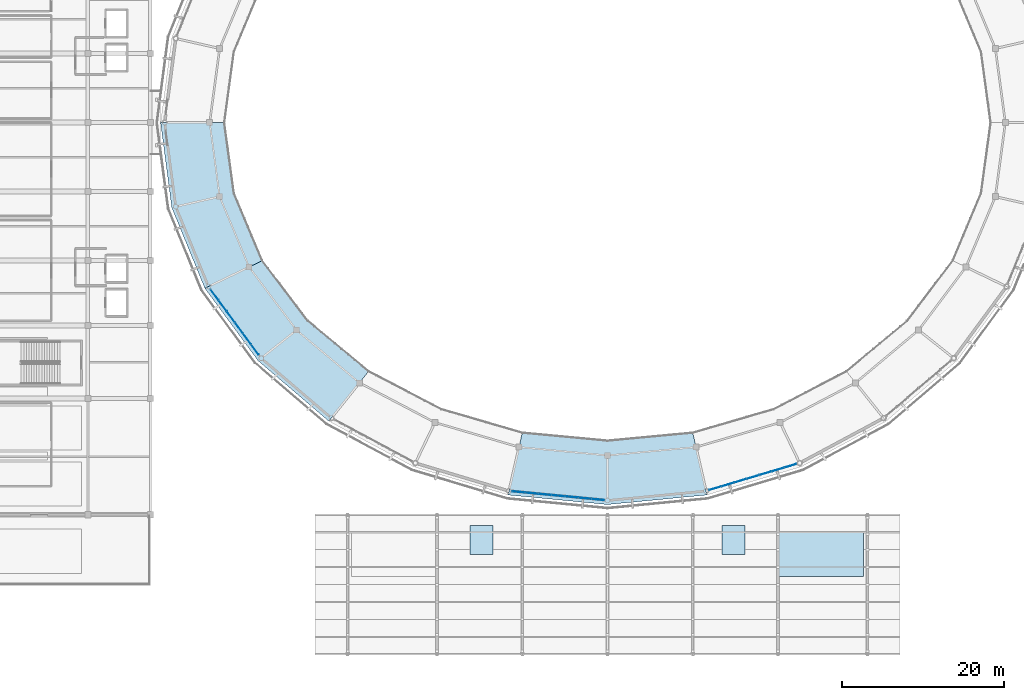
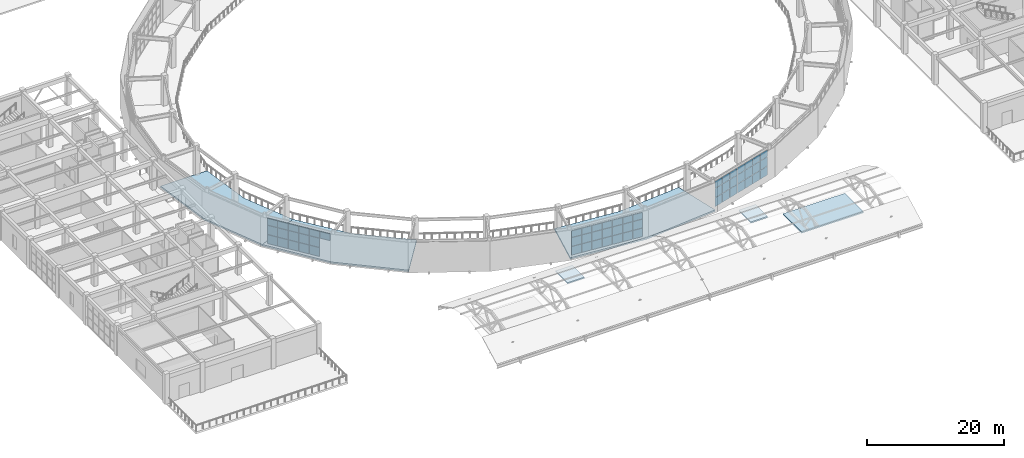
# One storey, part 41 of 70: 58 plates, 6 slabs, 3 elements without a shape of their own.
"""IFC4 building model written with IfcOpenShell, lengths in metres."""

import ifcopenshell
import ifcopenshell.guid

model = None  # the IFC model being written
_history = None  # IfcOwnerHistory: only IFC2X3 demands one
_inside = {}  # id of a spatial element -> (the spatial element, [elements in it])
_under = {}  # id of a project, library or spatial element -> (it, [spatial elements below it])
_declared = {}  # id of a project -> (the project, [libraries it declares])
_typed = {}  # id of a type object -> (the type object, [elements of that type])
_made_of = {}  # id of a material, layer set ... -> (it, [elements and type objects made of it])


def new_model(schema):
    """Start an empty IFC model of exactly this schema.

    Asked for "IFC4X3", IfcOpenShell would pick the latest addendum, in which some entities
    have other attributes; the version numbers below select the first issue.
    IFC2X3 requires an IfcOwnerHistory on every rooted entity: one is made here for all.
    """
    global model, _history
    if schema == "IFC4X3":
        model = ifcopenshell.file(schema_version=(4, 3, 0, 0))
    else:
        model = ifcopenshell.file(schema=schema)
    _inside.clear()
    _under.clear()
    _declared.clear()
    _typed.clear()
    _made_of.clear()
    _history = None
    if model.schema == "IFC2X3":
        org = make("IfcOrganization", Name="unknown")
        user = make(
            "IfcPersonAndOrganization",
            ThePerson=make("IfcPerson", FamilyName="unknown"),
            TheOrganization=org,
        )
        app = make(
            "IfcApplication",
            ApplicationDeveloper=org,
            Version="unknown",
            ApplicationFullName="unknown",
            ApplicationIdentifier="unknown",
        )
        _history = make(
            "IfcOwnerHistory",
            OwningUser=user,
            OwningApplication=app,
            ChangeAction="ADDED",
            CreationDate=0,
        )
    return model


def make(cls, **values):
    """One entity of the class cls with the attributes given. An attribute that is None is left unset."""
    return model.create_entity(
        cls, **{name: value for name, value in values.items() if value is not None}
    )


def rooted(cls, **values):
    """An entity with a GlobalId (a new one), such as an element, a storey or a relation."""
    return make(cls, GlobalId=ifcopenshell.guid.new(), OwnerHistory=_history, **values)


def si_unit(unit_type, name, prefix=None):
    """IfcSIUnit, for example si_unit("LENGTHUNIT", "METRE", prefix="MILLI")."""
    return make("IfcSIUnit", UnitType=unit_type, Prefix=prefix, Name=name)


def assignment(units):
    """IfcUnitAssignment: the units of a project."""
    return None if units is None else make("IfcUnitAssignment", Units=units)


def point(xyz):
    """IfcCartesianPoint."""
    return None if xyz is None else make("IfcCartesianPoint", Coordinates=xyz)


def direction(xyz):
    """IfcDirection."""
    return None if xyz is None else make("IfcDirection", DirectionRatios=xyz)


def frame(location, z_axis=None, x_axis=None):
    """IfcAxis2Placement3D, a coordinate frame: its origin and axes. An axis left out is left unset."""
    return make(
        "IfcAxis2Placement3D",
        Location=point(location),
        Axis=direction(z_axis),
        RefDirection=direction(x_axis),
    )


def frame_2d(location, x_axis=None):
    """IfcAxis2Placement2D, a coordinate frame in the plane: its origin and x axis."""
    return make(
        "IfcAxis2Placement2D", Location=point(location), RefDirection=direction(x_axis)
    )


def origin():
    """The frame at (0, 0, 0) with its axes left unset."""
    return frame((0.0, 0.0, 0.0))


def origin_2d():
    """The frame at (0, 0) in the plane with its x axis left unset."""
    return frame_2d((0.0, 0.0))


def place(relative_to, where):
    """IfcLocalPlacement: puts the frame where relative to a parent placement (None: the world)."""
    return make(
        "IfcLocalPlacement", PlacementRelTo=relative_to, RelativePlacement=where
    )


def context(
    kind, dimensions, precision=None, world=None, true_north=None, identifier=None
):
    """IfcGeometricRepresentationContext, for example the 3D "Model" context."""
    return make(
        "IfcGeometricRepresentationContext",
        ContextIdentifier=identifier,
        ContextType=kind,
        CoordinateSpaceDimension=dimensions,
        Precision=precision,
        WorldCoordinateSystem=world,
        TrueNorth=true_north,
    )


def subcontext(parent, identifier, kind, view, scale=None):
    """IfcGeometricRepresentationSubContext, for example "Body" below "Model"."""
    return make(
        "IfcGeometricRepresentationSubContext",
        ContextIdentifier=identifier,
        ContextType=kind,
        ParentContext=parent,
        TargetScale=scale,
        TargetView=view,
    )


def project(units=None, contexts=None):
    """IfcProject with its units and contexts."""
    return rooted(
        "IfcProject",
        Name="project",
        RepresentationContexts=contexts,
        UnitsInContext=assignment(units),
    )


def spatial(cls, under=None, at=None, **own):
    """A site, building, storey or space (cls), placed at a placement, below another one or the project."""
    s = rooted(cls, ObjectPlacement=at, **own)
    if under is not None:
        _under.setdefault(under.id(), (under, []))[1].append(s)
    return s


def polyline(points):
    """IfcPolyline through the points."""
    return make("IfcPolyline", Points=[point(p) for p in points])


def profile(cls, at=None, kind="AREA", **sizes):
    """A parametric profile (cls). Its sizes go by their IFC names, for example OverallWidth=200.0."""
    return make(cls, ProfileType=kind, Position=at, **sizes)


def rectangle(**sizes):
    """IfcRectangleProfileDef."""
    return profile("IfcRectangleProfileDef", **sizes)


def outline(outer, holes=None, kind="AREA"):
    """IfcArbitraryClosedProfileDef: a profile drawn as a closed curve; with holes, ...WithVoids."""
    if holes is None:
        return make("IfcArbitraryClosedProfileDef", ProfileType=kind, OuterCurve=outer)
    return make(
        "IfcArbitraryProfileDefWithVoids",
        ProfileType=kind,
        OuterCurve=outer,
        InnerCurves=holes,
    )


def extrude(swept, where, along, depth):
    """IfcExtrudedAreaSolid: the profile swept, set in the frame where, extruded along a direction by depth."""
    return make(
        "IfcExtrudedAreaSolid",
        SweptArea=swept,
        Position=where,
        ExtrudedDirection=direction(along),
        Depth=depth,
    )


def shape(context_of_items, identifier, shape_type, items):
    """IfcShapeRepresentation: the items that make up one representation, for example the "Body"."""
    return make(
        "IfcShapeRepresentation",
        ContextOfItems=context_of_items,
        RepresentationIdentifier=identifier,
        RepresentationType=shape_type,
        Items=items,
    )


def material(Name=None, Category=None):
    """IfcMaterial."""
    return make("IfcMaterial", Name=Name, Category=Category)


def layer(
    of_material, thickness, ventilated=None, Name=None, Category=None, Priority=None
):
    """IfcMaterialLayer: one layer of a wall or slab, of a material (None: an air gap)."""
    return make(
        "IfcMaterialLayer",
        Material=of_material,
        LayerThickness=thickness,
        IsVentilated=ventilated,
        Name=Name,
        Category=Category,
        Priority=Priority,
    )


def layer_set(layers, Name=None):
    """IfcMaterialLayerSet."""
    return make("IfcMaterialLayerSet", MaterialLayers=layers, LayerSetName=Name)


def made_of(thing, what):
    """Note that an element or type object is made of a material, layer set ...; save() writes the relation."""
    if what is not None:
        _made_of.setdefault(what.id(), (what, []))[1].append(thing)
    return thing


def type_object(cls, material=None, **own):
    """A type object (cls), such as IfcWallType, which elements share."""
    return made_of(rooted(cls, **own), material)


def element(
    cls,
    number,
    at=None,
    inside=None,
    cuts=None,
    type_object=None,
    material=None,
    context=None,
    identifier="Body",
    shape_type=None,
    held_by="IfcProductDefinitionShape",
    body=None,
    shapes=None,
    **own,
):
    """One element of the class cls, such as IfcWall. Its Tag is "e" and its number.

    at: its placement. inside: the storey or other place that contains it. cuts: it is an
    opening in that element (IfcRelVoidsElement). A single representation is given by context,
    identifier, shape_type and body (its items); several are given by shapes. held_by: the class
    of the entity that holds the representations. save() writes the other relations.
    """
    e = rooted(cls, Tag="e%d" % number, ObjectPlacement=at, **own)
    if body is not None:
        shapes = [shape(context, identifier, shape_type, body)]
    if shapes is not None:
        e.Representation = make(held_by, Representations=shapes)
    if inside is not None:
        _inside.setdefault(inside.id(), (inside, []))[1].append(e)
    if cuts is not None:
        rooted(
            "IfcRelVoidsElement", RelatingBuildingElement=cuts, RelatedOpeningElement=e
        )
    if type_object is not None:
        _typed.setdefault(type_object.id(), (type_object, []))[1].append(e)
    return made_of(e, material)


def aggregate(whole, parts):
    """IfcRelAggregates: a whole, such as a stair, and the parts it consists of."""
    return rooted("IfcRelAggregates", RelatingObject=whole, RelatedObjects=parts)


def save(model, path):
    """Write the relations noted so far, then the file.

    IfcRelAggregates (storeys below a building ...), IfcRelContainedInSpatialStructure (elements
    in a storey), IfcRelDefinesByType, IfcRelAssociatesMaterial and IfcRelDeclares: one each for
    every whole, place, type object, material and project.
    """
    for whole, parts in _under.values():
        aggregate(whole, parts)
    for where, things in _inside.values():
        rooted(
            "IfcRelContainedInSpatialStructure",
            RelatedElements=things,
            RelatingStructure=where,
        )
    for kind, things in _typed.values():
        rooted("IfcRelDefinesByType", RelatedObjects=things, RelatingType=kind)
    for what, things in _made_of.values():
        rooted("IfcRelAssociatesMaterial", RelatedObjects=things, RelatingMaterial=what)
    for by, libraries in _declared.values():
        rooted("IfcRelDeclares", RelatingContext=by, RelatedDefinitions=libraries)
    model.write(path)


model = new_model("IFC4")

# Units and contexts
model_context = context("Model", 3, precision=1e-05, world=origin(), true_north=direction((0.0, 1.0)))
body_context = subcontext(model_context, "Body", "Model", "MODEL_VIEW")
ifc_project = project(units=[si_unit("LENGTHUNIT", "METRE"), si_unit("AREAUNIT", "SQUARE_METRE"), si_unit("VOLUMEUNIT", "CUBIC_METRE"), si_unit("PLANEANGLEUNIT", "RADIAN"), si_unit("MASSUNIT", "GRAM", prefix="KILO")], contexts=[model_context])

# Site, building, storey
site_placement = place(None, origin())
site = spatial("IfcSite", under=ifc_project, at=site_placement, CompositionType="ELEMENT")
building_placement = place(site_placement, origin())
building = spatial("IfcBuilding", under=site, at=building_placement, Name="Cuetzalor Civic Arena", CompositionType="ELEMENT")
storey_placement = place(building_placement, frame((0.0, 0.0, 21.0)))
storey = spatial("IfcBuildingStorey", under=building, at=storey_placement, Name="L04", CompositionType="ELEMENT", Elevation=21.0)

# Curtain wall, plates
ifc_material_1 = material(Name="Anodised dark bronze aluminium and low-E solar glass", Category="aluminium")
curtain_wall_type_1 = type_object("IfcCurtainWallType", Name="UnitisedCW_10150x4650", PredefinedType="USERDEFINED", material=ifc_material_1)
curtain_wall_1_placement = place(storey_placement, origin())
curtain_wall_1 = element("IfcCurtainWall", 1, at=curtain_wall_1_placement, inside=storey, type_object=curtain_wall_type_1, Name="Drum Triangle Foyer Curtain Wall L04-063", ObjectType="UNITISED CURTAIN WALL", PredefinedType="USERDEFINED")
ifc_material_2 = material(Name="Acoustic laminated solar control glass", Category="glass")
ifc_layer_1 = layer(ifc_material_2, 0.0439453125)
ifc_layer_set_1 = layer_set([ifc_layer_1], Name="Acoustic laminated solar control glass")
plate_type = type_object("IfcPlateType", Name="AcousticTripleGlazedPanel_44", PredefinedType="CURTAIN_PANEL", material=ifc_layer_set_1)
plate_1_placement = place(storey_placement, frame((-43.402587890625, -27.999755859375, 3.384765625), z_axis=(0.0, 0.0, 1.0), x_axis=(-0.59292931222, 0.805254513002, 0.0)))
plate_1 = element("IfcPlate", 2, at=plate_1_placement, type_object=plate_type, Name="CW-06 panel 1.3", PredefinedType="CURTAIN_PANEL", context=body_context, shape_type="SweptSolid", body=[
    extrude(rectangle(XDim=1.585693359375, YDim=0.0439453125, at=origin_2d()), origin(), (0.0, 0.0, 1.0), 1.197998046875),
])
plate_2_placement = place(storey_placement, frame((-44.394775390625, -26.652587890625, 0.06982421875), z_axis=(0.0, 0.0, 1.0), x_axis=(-0.59292931222, 0.805254513002, 0.0)))
plate_2 = element("IfcPlate", 3, at=plate_2_placement, type_object=plate_type, Name="CW-06 panel 2.1", PredefinedType="CURTAIN_PANEL", context=body_context, shape_type="SweptSolid", body=[
    extrude(rectangle(XDim=1.62060546875, YDim=0.0439453125, at=origin_2d()), origin(), (0.0, 0.0, 1.0), 1.570068359375),
])
plate_3_placement = place(storey_placement, frame((-44.394775390625, -26.652587890625, 1.7099609375), z_axis=(0.0, 0.0, 1.0), x_axis=(-0.59292931222, 0.805254513002, 0.0)))
plate_3 = element("IfcPlate", 4, at=plate_3_placement, type_object=plate_type, Name="CW-06 panel 2.2", PredefinedType="CURTAIN_PANEL", context=body_context, shape_type="SweptSolid", body=[
    extrude(rectangle(XDim=1.62060546875, YDim=0.0439453125, at=origin_2d()), origin(), (0.0, 0.0, 1.0), 1.60498046875),
])
plate_4_placement = place(storey_placement, frame((-44.394775390625, -26.652587890625, 3.384765625), z_axis=(0.0, 0.0, 1.0), x_axis=(-0.59292931222, 0.805254513002, 0.0)))
plate_4 = element("IfcPlate", 5, at=plate_4_placement, type_object=plate_type, Name="CW-06 panel 2.3", PredefinedType="CURTAIN_PANEL", context=body_context, shape_type="SweptSolid", body=[
    extrude(rectangle(XDim=1.62060546875, YDim=0.0439453125, at=origin_2d()), origin(), (0.0, 0.0, 1.0), 1.197998046875),
])
plate_5_placement = place(storey_placement, frame((-45.397216796875, -25.291015625, 0.06982421875), z_axis=(0.0, 0.0, 1.0), x_axis=(-0.59292931222, 0.805254513002, 0.0)))
plate_5 = element("IfcPlate", 6, at=plate_5_placement, type_object=plate_type, Name="CW-06 panel 3.1", PredefinedType="CURTAIN_PANEL", context=body_context, shape_type="SweptSolid", body=[
    extrude(rectangle(XDim=1.62060546875, YDim=0.0439453125, at=origin_2d()), origin(), (0.0, 0.0, 1.0), 1.570068359375),
])
plate_6_placement = place(storey_placement, frame((-45.397216796875, -25.291015625, 1.7099609375), z_axis=(0.0, 0.0, 1.0), x_axis=(-0.59292931222, 0.805254513002, 0.0)))
plate_6 = element("IfcPlate", 7, at=plate_6_placement, type_object=plate_type, Name="CW-06 panel 3.2", PredefinedType="CURTAIN_PANEL", context=body_context, shape_type="SweptSolid", body=[
    extrude(rectangle(XDim=1.62060546875, YDim=0.0439453125, at=origin_2d()), origin(), (0.0, 0.0, 1.0), 1.60498046875),
])
plate_7_placement = place(storey_placement, frame((-45.397216796875, -25.291015625, 3.384765625), z_axis=(0.0, 0.0, 1.0), x_axis=(-0.59292931222, 0.805254513002, 0.0)))
plate_7 = element("IfcPlate", 8, at=plate_7_placement, type_object=plate_type, Name="CW-06 panel 3.3", PredefinedType="CURTAIN_PANEL", context=body_context, shape_type="SweptSolid", body=[
    extrude(rectangle(XDim=1.62060546875, YDim=0.0439453125, at=origin_2d()), origin(), (0.0, 0.0, 1.0), 1.197998046875),
])
plate_8_placement = place(storey_placement, frame((-46.399658203125, -23.9296875, 0.06982421875), z_axis=(0.0, 0.0, 1.0), x_axis=(-0.59292931222, 0.805254513002, 0.0)))
plate_8 = element("IfcPlate", 9, at=plate_8_placement, type_object=plate_type, Name="CW-06 panel 4.1", PredefinedType="CURTAIN_PANEL", context=body_context, shape_type="SweptSolid", body=[
    extrude(rectangle(XDim=1.62060546875, YDim=0.0439453125, at=origin_2d()), origin(), (0.0, 0.0, 1.0), 1.570068359375),
])
plate_9_placement = place(storey_placement, frame((-46.399658203125, -23.9296875, 1.7099609375), z_axis=(0.0, 0.0, 1.0), x_axis=(-0.59292931222, 0.805254513002, 0.0)))
plate_9 = element("IfcPlate", 10, at=plate_9_placement, type_object=plate_type, Name="CW-06 panel 4.2", PredefinedType="CURTAIN_PANEL", context=body_context, shape_type="SweptSolid", body=[
    extrude(rectangle(XDim=1.62060546875, YDim=0.0439453125, at=origin_2d()), origin(), (0.0, 0.0, 1.0), 1.60498046875),
])
plate_10_placement = place(storey_placement, frame((-46.399658203125, -23.9296875, 3.384765625), z_axis=(0.0, 0.0, 1.0), x_axis=(-0.59292931222, 0.805254513002, 0.0)))
plate_10 = element("IfcPlate", 11, at=plate_10_placement, type_object=plate_type, Name="CW-06 panel 4.3", PredefinedType="CURTAIN_PANEL", context=body_context, shape_type="SweptSolid", body=[
    extrude(rectangle(XDim=1.62060546875, YDim=0.0439453125, at=origin_2d()), origin(), (0.0, 0.0, 1.0), 1.197998046875),
])
plate_11_placement = place(storey_placement, frame((-47.402099609375, -22.568359375, 0.06982421875), z_axis=(0.0, 0.0, 1.0), x_axis=(-0.59292931222, 0.805254513002, 0.0)))
plate_11 = element("IfcPlate", 12, at=plate_11_placement, type_object=plate_type, Name="CW-06 panel 5.1", PredefinedType="CURTAIN_PANEL", context=body_context, shape_type="SweptSolid", body=[
    extrude(rectangle(XDim=1.62060546875, YDim=0.0439453125, at=origin_2d()), origin(), (0.0, 0.0, 1.0), 1.570068359375),
])
plate_12_placement = place(storey_placement, frame((-47.402099609375, -22.568359375, 1.7099609375), z_axis=(0.0, 0.0, 1.0), x_axis=(-0.59292931222, 0.805254513002, 0.0)))
plate_12 = element("IfcPlate", 13, at=plate_12_placement, type_object=plate_type, Name="CW-06 panel 5.2", PredefinedType="CURTAIN_PANEL", context=body_context, shape_type="SweptSolid", body=[
    extrude(rectangle(XDim=1.62060546875, YDim=0.0439453125, at=origin_2d()), origin(), (0.0, 0.0, 1.0), 1.60498046875),
])
plate_13_placement = place(storey_placement, frame((-47.402099609375, -22.568359375, 3.384765625), z_axis=(0.0, 0.0, 1.0), x_axis=(-0.59292931222, 0.805254513002, 0.0)))
plate_13 = element("IfcPlate", 14, at=plate_13_placement, type_object=plate_type, Name="CW-06 panel 5.3", PredefinedType="CURTAIN_PANEL", context=body_context, shape_type="SweptSolid", body=[
    extrude(rectangle(XDim=1.62060546875, YDim=0.0439453125, at=origin_2d()), origin(), (0.0, 0.0, 1.0), 1.197998046875),
])
plate_14_placement = place(storey_placement, frame((-48.39404296875, -21.220947265625, 0.06982421875), z_axis=(0.0, 0.0, 1.0), x_axis=(-0.59292931222, 0.805254513002, 0.0)))
plate_14 = element("IfcPlate", 15, at=plate_14_placement, type_object=plate_type, Name="CW-06 panel 6.1", PredefinedType="CURTAIN_PANEL", context=body_context, shape_type="SweptSolid", body=[
    extrude(rectangle(XDim=1.585693359375, YDim=0.0439453125, at=origin_2d()), origin(), (0.0, 0.0, 1.0), 1.570068359375),
])
plate_15_placement = place(storey_placement, frame((-48.39404296875, -21.220947265625, 1.7099609375), z_axis=(0.0, 0.0, 1.0), x_axis=(-0.59292931222, 0.805254513002, 0.0)))
plate_15 = element("IfcPlate", 16, at=plate_15_placement, type_object=plate_type, Name="CW-06 panel 6.2", PredefinedType="CURTAIN_PANEL", context=body_context, shape_type="SweptSolid", body=[
    extrude(rectangle(XDim=1.585693359375, YDim=0.0439453125, at=origin_2d()), origin(), (0.0, 0.0, 1.0), 1.60498046875),
])
plate_16_placement = place(storey_placement, frame((-48.39404296875, -21.220947265625, 3.384765625), z_axis=(0.0, 0.0, 1.0), x_axis=(-0.59292931222, 0.805254513002, 0.0)))
plate_16 = element("IfcPlate", 17, at=plate_16_placement, type_object=plate_type, Name="CW-06 panel 6.3", PredefinedType="CURTAIN_PANEL", context=body_context, shape_type="SweptSolid", body=[
    extrude(rectangle(XDim=1.585693359375, YDim=0.0439453125, at=origin_2d()), origin(), (0.0, 0.0, 1.0), 1.197998046875),
])
aggregate(curtain_wall_1, [plate_1, plate_2, plate_3, plate_4, plate_5, plate_6, plate_7, plate_8, plate_9, plate_10, plate_11, plate_12, plate_13, plate_14, plate_15, plate_16])

ifc_material_3 = material(Name="Anodised dark bronze aluminium and low-E solar glass", Category="aluminium")
curtain_wall_type_2 = type_object("IfcCurtainWallType", Name="UnitisedCW_11550x4450", PredefinedType="USERDEFINED", material=ifc_material_3)
curtain_wall_2_placement = place(storey_placement, origin())
curtain_wall_2 = element("IfcCurtainWall", 18, at=curtain_wall_2_placement, inside=storey, type_object=curtain_wall_type_2, Name="Drum Triangle Foyer Curtain Wall L04-065", ObjectType="UNITISED CURTAIN WALL", PredefinedType="USERDEFINED")
plate_17_placement = place(storey_placement, frame((-1.15185546875, -46.439208984375, 0.06494140625), z_axis=(0.0, 0.0, 1.0), x_axis=(-0.995409139996, 0.095711253324, 0.0)))
plate_17 = element("IfcPlate", 19, at=plate_17_placement, type_object=plate_type, Name="CW-08 panel 1.1", PredefinedType="CURTAIN_PANEL", context=body_context, shape_type="SweptSolid", body=[
    extrude(rectangle(XDim=1.5546875, YDim=0.0439453125, at=origin_2d()), origin(), (0.0, 0.0, 1.0), 1.49853515625),
])
plate_18_placement = place(storey_placement, frame((-1.15185546875, -46.439208984375, 1.62841796875), z_axis=(0.0, 0.0, 1.0), x_axis=(-0.995409139996, 0.095711253324, 0.0)))
plate_18 = element("IfcPlate", 20, at=plate_18_placement, type_object=plate_type, Name="CW-08 panel 1.2", PredefinedType="CURTAIN_PANEL", context=body_context, shape_type="SweptSolid", body=[
    extrude(rectangle(XDim=1.5546875, YDim=0.0439453125, at=origin_2d()), origin(), (0.0, 0.0, 1.0), 1.530029296875),
])
plate_19_placement = place(storey_placement, frame((-1.15185546875, -46.439208984375, 3.223388671875), z_axis=(0.0, 0.0, 1.0), x_axis=(-0.995409139996, 0.095711253324, 0.0)))
plate_19 = element("IfcPlate", 21, at=plate_19_placement, type_object=plate_type, Name="CW-08 panel 1.3", PredefinedType="CURTAIN_PANEL", context=body_context, shape_type="SweptSolid", body=[
    extrude(rectangle(XDim=1.5546875, YDim=0.0439453125, at=origin_2d()), origin(), (0.0, 0.0, 1.0), 1.1435546875),
])
plate_20_placement = place(storey_placement, frame((-2.780029296875, -46.28271484375, 0.06494140625), z_axis=(0.0, 0.0, 1.0), x_axis=(-0.995409139996, 0.095711253324, 0.0)))
plate_20 = element("IfcPlate", 22, at=plate_20_placement, type_object=plate_type, Name="CW-08 panel 2.1", PredefinedType="CURTAIN_PANEL", context=body_context, shape_type="SweptSolid", body=[
    extrude(rectangle(XDim=1.587158203125, YDim=0.0439453125, at=origin_2d()), origin(), (0.0, 0.0, 1.0), 1.49853515625),
])
plate_21_placement = place(storey_placement, frame((-2.780029296875, -46.28271484375, 1.62841796875), z_axis=(0.0, 0.0, 1.0), x_axis=(-0.995409139996, 0.095711253324, 0.0)))
plate_21 = element("IfcPlate", 23, at=plate_21_placement, type_object=plate_type, Name="CW-08 panel 2.2", PredefinedType="CURTAIN_PANEL", context=body_context, shape_type="SweptSolid", body=[
    extrude(rectangle(XDim=1.587158203125, YDim=0.0439453125, at=origin_2d()), origin(), (0.0, 0.0, 1.0), 1.530029296875),
])
plate_22_placement = place(storey_placement, frame((-2.780029296875, -46.28271484375, 3.223388671875), z_axis=(0.0, 0.0, 1.0), x_axis=(-0.995409139996, 0.095711253324, 0.0)))
plate_22 = element("IfcPlate", 24, at=plate_22_placement, type_object=plate_type, Name="CW-08 panel 2.3", PredefinedType="CURTAIN_PANEL", context=body_context, shape_type="SweptSolid", body=[
    extrude(rectangle(XDim=1.587158203125, YDim=0.0439453125, at=origin_2d()), origin(), (0.0, 0.0, 1.0), 1.1435546875),
])
plate_23_placement = place(storey_placement, frame((-4.4248046875, -46.12451171875, 0.06494140625), z_axis=(0.0, 0.0, 1.0), x_axis=(-0.995409139996, 0.095711253324, 0.0)))
plate_23 = element("IfcPlate", 25, at=plate_23_placement, type_object=plate_type, Name="CW-08 panel 3.1", PredefinedType="CURTAIN_PANEL", context=body_context, shape_type="SweptSolid", body=[
    extrude(rectangle(XDim=1.587158203125, YDim=0.0439453125, at=origin_2d()), origin(), (0.0, 0.0, 1.0), 1.49853515625),
])
plate_24_placement = place(storey_placement, frame((-4.4248046875, -46.12451171875, 1.62841796875), z_axis=(0.0, 0.0, 1.0), x_axis=(-0.995409139996, 0.095711253324, 0.0)))
plate_24 = element("IfcPlate", 26, at=plate_24_placement, type_object=plate_type, Name="CW-08 panel 3.2", PredefinedType="CURTAIN_PANEL", context=body_context, shape_type="SweptSolid", body=[
    extrude(rectangle(XDim=1.587158203125, YDim=0.0439453125, at=origin_2d()), origin(), (0.0, 0.0, 1.0), 1.530029296875),
])
plate_25_placement = place(storey_placement, frame((-4.4248046875, -46.12451171875, 3.223388671875), z_axis=(0.0, 0.0, 1.0), x_axis=(-0.995409139996, 0.095711253324, 0.0)))
plate_25 = element("IfcPlate", 27, at=plate_25_placement, type_object=plate_type, Name="CW-08 panel 3.3", PredefinedType="CURTAIN_PANEL", context=body_context, shape_type="SweptSolid", body=[
    extrude(rectangle(XDim=1.587158203125, YDim=0.0439453125, at=origin_2d()), origin(), (0.0, 0.0, 1.0), 1.1435546875),
])
plate_26_placement = place(storey_placement, frame((-6.0693359375, -45.966552734375, 0.06494140625), z_axis=(0.0, 0.0, 1.0), x_axis=(-0.995409139996, 0.095711253324, 0.0)))
plate_26 = element("IfcPlate", 28, at=plate_26_placement, type_object=plate_type, Name="CW-08 panel 4.1", PredefinedType="CURTAIN_PANEL", context=body_context, shape_type="SweptSolid", body=[
    extrude(rectangle(XDim=1.587158203125, YDim=0.0439453125, at=origin_2d()), origin(), (0.0, 0.0, 1.0), 1.49853515625),
])
plate_27_placement = place(storey_placement, frame((-6.0693359375, -45.966552734375, 1.62841796875), z_axis=(0.0, 0.0, 1.0), x_axis=(-0.995409139996, 0.095711253324, 0.0)))
plate_27 = element("IfcPlate", 29, at=plate_27_placement, type_object=plate_type, Name="CW-08 panel 4.2", PredefinedType="CURTAIN_PANEL", context=body_context, shape_type="SweptSolid", body=[
    extrude(rectangle(XDim=1.587158203125, YDim=0.0439453125, at=origin_2d()), origin(), (0.0, 0.0, 1.0), 1.530029296875),
])
plate_28_placement = place(storey_placement, frame((-6.0693359375, -45.966552734375, 3.223388671875), z_axis=(0.0, 0.0, 1.0), x_axis=(-0.995409139996, 0.095711253324, 0.0)))
plate_28 = element("IfcPlate", 30, at=plate_28_placement, type_object=plate_type, Name="CW-08 panel 4.3", PredefinedType="CURTAIN_PANEL", context=body_context, shape_type="SweptSolid", body=[
    extrude(rectangle(XDim=1.587158203125, YDim=0.0439453125, at=origin_2d()), origin(), (0.0, 0.0, 1.0), 1.1435546875),
])
plate_29_placement = place(storey_placement, frame((-7.7138671875, -45.808349609375, 0.06494140625), z_axis=(0.0, 0.0, 1.0), x_axis=(-0.995409139996, 0.095711253324, 0.0)))
plate_29 = element("IfcPlate", 31, at=plate_29_placement, type_object=plate_type, Name="CW-08 panel 5.1", PredefinedType="CURTAIN_PANEL", context=body_context, shape_type="SweptSolid", body=[
    extrude(rectangle(XDim=1.587158203125, YDim=0.0439453125, at=origin_2d()), origin(), (0.0, 0.0, 1.0), 1.49853515625),
])
plate_30_placement = place(storey_placement, frame((-7.7138671875, -45.808349609375, 1.62841796875), z_axis=(0.0, 0.0, 1.0), x_axis=(-0.995409139996, 0.095711253324, 0.0)))
plate_30 = element("IfcPlate", 32, at=plate_30_placement, type_object=plate_type, Name="CW-08 panel 5.2", PredefinedType="CURTAIN_PANEL", context=body_context, shape_type="SweptSolid", body=[
    extrude(rectangle(XDim=1.587158203125, YDim=0.0439453125, at=origin_2d()), origin(), (0.0, 0.0, 1.0), 1.530029296875),
])
plate_31_placement = place(storey_placement, frame((-7.7138671875, -45.808349609375, 3.223388671875), z_axis=(0.0, 0.0, 1.0), x_axis=(-0.995409139996, 0.095711253324, 0.0)))
plate_31 = element("IfcPlate", 33, at=plate_31_placement, type_object=plate_type, Name="CW-08 panel 5.3", PredefinedType="CURTAIN_PANEL", context=body_context, shape_type="SweptSolid", body=[
    extrude(rectangle(XDim=1.587158203125, YDim=0.0439453125, at=origin_2d()), origin(), (0.0, 0.0, 1.0), 1.1435546875),
])
plate_32_placement = place(storey_placement, frame((-9.3583984375, -45.650146484375, 0.06494140625), z_axis=(0.0, 0.0, 1.0), x_axis=(-0.995409139996, 0.095711253324, 0.0)))
plate_32 = element("IfcPlate", 34, at=plate_32_placement, type_object=plate_type, Name="CW-08 panel 6.1", PredefinedType="CURTAIN_PANEL", context=body_context, shape_type="SweptSolid", body=[
    extrude(rectangle(XDim=1.587158203125, YDim=0.0439453125, at=origin_2d()), origin(), (0.0, 0.0, 1.0), 1.49853515625),
])
plate_33_placement = place(storey_placement, frame((-9.3583984375, -45.650146484375, 1.62841796875), z_axis=(0.0, 0.0, 1.0), x_axis=(-0.995409139996, 0.095711253324, 0.0)))
plate_33 = element("IfcPlate", 35, at=plate_33_placement, type_object=plate_type, Name="CW-08 panel 6.2", PredefinedType="CURTAIN_PANEL", context=body_context, shape_type="SweptSolid", body=[
    extrude(rectangle(XDim=1.587158203125, YDim=0.0439453125, at=origin_2d()), origin(), (0.0, 0.0, 1.0), 1.530029296875),
])
plate_34_placement = place(storey_placement, frame((-9.3583984375, -45.650146484375, 3.223388671875), z_axis=(0.0, 0.0, 1.0), x_axis=(-0.995409139996, 0.095711253324, 0.0)))
plate_34 = element("IfcPlate", 36, at=plate_34_placement, type_object=plate_type, Name="CW-08 panel 6.3", PredefinedType="CURTAIN_PANEL", context=body_context, shape_type="SweptSolid", body=[
    extrude(rectangle(XDim=1.587158203125, YDim=0.0439453125, at=origin_2d()), origin(), (0.0, 0.0, 1.0), 1.1435546875),
])
plate_35_placement = place(storey_placement, frame((-10.98681640625, -45.49365234375, 0.06494140625), z_axis=(0.0, 0.0, 1.0), x_axis=(-0.995409139996, 0.095711253324, 0.0)))
plate_35 = element("IfcPlate", 37, at=plate_35_placement, type_object=plate_type, Name="CW-08 panel 7.1", PredefinedType="CURTAIN_PANEL", context=body_context, shape_type="SweptSolid", body=[
    extrude(rectangle(XDim=1.5546875, YDim=0.0439453125, at=origin_2d()), origin(), (0.0, 0.0, 1.0), 1.49853515625),
])
plate_36_placement = place(storey_placement, frame((-10.98681640625, -45.49365234375, 1.62841796875), z_axis=(0.0, 0.0, 1.0), x_axis=(-0.995409139996, 0.095711253324, 0.0)))
plate_36 = element("IfcPlate", 38, at=plate_36_placement, type_object=plate_type, Name="CW-08 panel 7.2", PredefinedType="CURTAIN_PANEL", context=body_context, shape_type="SweptSolid", body=[
    extrude(rectangle(XDim=1.5546875, YDim=0.0439453125, at=origin_2d()), origin(), (0.0, 0.0, 1.0), 1.530029296875),
])
plate_37_placement = place(storey_placement, frame((-10.98681640625, -45.49365234375, 3.223388671875), z_axis=(0.0, 0.0, 1.0), x_axis=(-0.995409139996, 0.095711253324, 0.0)))
plate_37 = element("IfcPlate", 39, at=plate_37_placement, type_object=plate_type, Name="CW-08 panel 7.3", PredefinedType="CURTAIN_PANEL", context=body_context, shape_type="SweptSolid", body=[
    extrude(rectangle(XDim=1.5546875, YDim=0.0439453125, at=origin_2d()), origin(), (0.0, 0.0, 1.0), 1.1435546875),
])
aggregate(curtain_wall_2, [plate_17, plate_18, plate_19, plate_20, plate_21, plate_22, plate_23, plate_24, plate_25, plate_26, plate_27, plate_28, plate_29, plate_30, plate_31, plate_32, plate_33, plate_34, plate_35, plate_36, plate_37])

ifc_material_4 = material(Name="Anodised dark bronze aluminium and low-E solar glass", Category="aluminium")
curtain_wall_type_3 = type_object("IfcCurtainWallType", Name="UnitisedCW_11300x4650", PredefinedType="USERDEFINED", material=ifc_material_4)
curtain_wall_3_placement = place(storey_placement, origin())
curtain_wall_3 = element("IfcCurtainWall", 40, at=curtain_wall_3_placement, inside=storey, type_object=curtain_wall_type_3, Name="Drum Triangle Foyer Curtain Wall L04-066", ObjectType="UNITISED CURTAIN WALL", PredefinedType="USERDEFINED")
plate_38_placement = place(storey_placement, frame((22.53125, -42.279541015625, 0.06982421875), z_axis=(0.0, 0.0, 1.0), x_axis=(-0.958193690548, -0.286120344251, 0.0)))
plate_38 = element("IfcPlate", 41, at=plate_38_placement, type_object=plate_type, Name="CW-09 panel 1.1", PredefinedType="CURTAIN_PANEL", context=body_context, shape_type="SweptSolid", body=[
    extrude(rectangle(XDim=1.5107421875, YDim=0.0439453125, at=origin_2d()), origin(), (0.0, 0.0, 1.0), 1.570068359375),
])
plate_39_placement = place(storey_placement, frame((22.53125, -42.279541015625, 1.7099609375), z_axis=(0.0, 0.0, 1.0), x_axis=(-0.958193690548, -0.286120344251, 0.0)))
plate_39 = element("IfcPlate", 42, at=plate_39_placement, type_object=plate_type, Name="CW-09 panel 1.2", PredefinedType="CURTAIN_PANEL", context=body_context, shape_type="SweptSolid", body=[
    extrude(rectangle(XDim=1.5107421875, YDim=0.0439453125, at=origin_2d()), origin(), (0.0, 0.0, 1.0), 1.60498046875),
])
plate_40_placement = place(storey_placement, frame((22.53125, -42.279541015625, 3.384765625), z_axis=(0.0, 0.0, 1.0), x_axis=(-0.958193690548, -0.286120344251, 0.0)))
plate_40 = element("IfcPlate", 43, at=plate_40_placement, type_object=plate_type, Name="CW-09 panel 1.3", PredefinedType="CURTAIN_PANEL", context=body_context, shape_type="SweptSolid", body=[
    extrude(rectangle(XDim=1.5107421875, YDim=0.0439453125, at=origin_2d()), origin(), (0.0, 0.0, 1.0), 1.197998046875),
])
plate_41_placement = place(storey_placement, frame((20.999755859375, -42.73681640625, 0.06982421875), z_axis=(0.0, 0.0, 1.0), x_axis=(-0.958193690548, -0.286120344251, 0.0)))
plate_41 = element("IfcPlate", 44, at=plate_41_placement, type_object=plate_type, Name="CW-09 panel 2.1", PredefinedType="CURTAIN_PANEL", context=body_context, shape_type="SweptSolid", body=[
    extrude(rectangle(XDim=1.545654296875, YDim=0.0439453125, at=origin_2d()), origin(), (0.0, 0.0, 1.0), 1.570068359375),
])
plate_42_placement = place(storey_placement, frame((20.999755859375, -42.73681640625, 1.7099609375), z_axis=(0.0, 0.0, 1.0), x_axis=(-0.958193690548, -0.286120344251, 0.0)))
plate_42 = element("IfcPlate", 45, at=plate_42_placement, type_object=plate_type, Name="CW-09 panel 2.2", PredefinedType="CURTAIN_PANEL", context=body_context, shape_type="SweptSolid", body=[
    extrude(rectangle(XDim=1.545654296875, YDim=0.0439453125, at=origin_2d()), origin(), (0.0, 0.0, 1.0), 1.60498046875),
])
plate_43_placement = place(storey_placement, frame((20.999755859375, -42.73681640625, 3.384765625), z_axis=(0.0, 0.0, 1.0), x_axis=(-0.958193690548, -0.286120344251, 0.0)))
plate_43 = element("IfcPlate", 46, at=plate_43_placement, type_object=plate_type, Name="CW-09 panel 2.3", PredefinedType="CURTAIN_PANEL", context=body_context, shape_type="SweptSolid", body=[
    extrude(rectangle(XDim=1.545654296875, YDim=0.0439453125, at=origin_2d()), origin(), (0.0, 0.0, 1.0), 1.197998046875),
])
plate_44_placement = place(storey_placement, frame((19.45166015625, -43.19921875, 0.06982421875), z_axis=(0.0, 0.0, 1.0), x_axis=(-0.958193690548, -0.286120344251, 0.0)))
plate_44 = element("IfcPlate", 47, at=plate_44_placement, type_object=plate_type, Name="CW-09 panel 3.1", PredefinedType="CURTAIN_PANEL", context=body_context, shape_type="SweptSolid", body=[
    extrude(rectangle(XDim=1.545654296875, YDim=0.0439453125, at=origin_2d()), origin(), (0.0, 0.0, 1.0), 1.570068359375),
])
plate_45_placement = place(storey_placement, frame((19.45166015625, -43.19921875, 1.7099609375), z_axis=(0.0, 0.0, 1.0), x_axis=(-0.958193690548, -0.286120344251, 0.0)))
plate_45 = element("IfcPlate", 48, at=plate_45_placement, type_object=plate_type, Name="CW-09 panel 3.2", PredefinedType="CURTAIN_PANEL", context=body_context, shape_type="SweptSolid", body=[
    extrude(rectangle(XDim=1.545654296875, YDim=0.0439453125, at=origin_2d()), origin(), (0.0, 0.0, 1.0), 1.60498046875),
])
plate_46_placement = place(storey_placement, frame((19.45166015625, -43.19921875, 3.384765625), z_axis=(0.0, 0.0, 1.0), x_axis=(-0.958193690548, -0.286120344251, 0.0)))
plate_46 = element("IfcPlate", 49, at=plate_46_placement, type_object=plate_type, Name="CW-09 panel 3.3", PredefinedType="CURTAIN_PANEL", context=body_context, shape_type="SweptSolid", body=[
    extrude(rectangle(XDim=1.545654296875, YDim=0.0439453125, at=origin_2d()), origin(), (0.0, 0.0, 1.0), 1.197998046875),
])
plate_47_placement = place(storey_placement, frame((17.903564453125, -43.66162109375, 0.06982421875), z_axis=(0.0, 0.0, 1.0), x_axis=(-0.958193690548, -0.286120344251, 0.0)))
plate_47 = element("IfcPlate", 50, at=plate_47_placement, type_object=plate_type, Name="CW-09 panel 4.1", PredefinedType="CURTAIN_PANEL", context=body_context, shape_type="SweptSolid", body=[
    extrude(rectangle(XDim=1.545654296875, YDim=0.0439453125, at=origin_2d()), origin(), (0.0, 0.0, 1.0), 1.570068359375),
])
plate_48_placement = place(storey_placement, frame((17.903564453125, -43.66162109375, 1.7099609375), z_axis=(0.0, 0.0, 1.0), x_axis=(-0.958193690548, -0.286120344251, 0.0)))
plate_48 = element("IfcPlate", 51, at=plate_48_placement, type_object=plate_type, Name="CW-09 panel 4.2", PredefinedType="CURTAIN_PANEL", context=body_context, shape_type="SweptSolid", body=[
    extrude(rectangle(XDim=1.545654296875, YDim=0.0439453125, at=origin_2d()), origin(), (0.0, 0.0, 1.0), 1.60498046875),
])
plate_49_placement = place(storey_placement, frame((17.903564453125, -43.66162109375, 3.384765625), z_axis=(0.0, 0.0, 1.0), x_axis=(-0.958193690548, -0.286120344251, 0.0)))
plate_49 = element("IfcPlate", 52, at=plate_49_placement, type_object=plate_type, Name="CW-09 panel 4.3", PredefinedType="CURTAIN_PANEL", context=body_context, shape_type="SweptSolid", body=[
    extrude(rectangle(XDim=1.545654296875, YDim=0.0439453125, at=origin_2d()), origin(), (0.0, 0.0, 1.0), 1.197998046875),
])
plate_50_placement = place(storey_placement, frame((16.355224609375, -44.123779296875, 0.06982421875), z_axis=(0.0, 0.0, 1.0), x_axis=(-0.958193690548, -0.286120344251, 0.0)))
plate_50 = element("IfcPlate", 53, at=plate_50_placement, type_object=plate_type, Name="CW-09 panel 5.1", PredefinedType="CURTAIN_PANEL", context=body_context, shape_type="SweptSolid", body=[
    extrude(rectangle(XDim=1.545654296875, YDim=0.0439453125, at=origin_2d()), origin(), (0.0, 0.0, 1.0), 1.570068359375),
])
plate_51_placement = place(storey_placement, frame((16.355224609375, -44.123779296875, 1.7099609375), z_axis=(0.0, 0.0, 1.0), x_axis=(-0.958193690548, -0.286120344251, 0.0)))
plate_51 = element("IfcPlate", 54, at=plate_51_placement, type_object=plate_type, Name="CW-09 panel 5.2", PredefinedType="CURTAIN_PANEL", context=body_context, shape_type="SweptSolid", body=[
    extrude(rectangle(XDim=1.545654296875, YDim=0.0439453125, at=origin_2d()), origin(), (0.0, 0.0, 1.0), 1.60498046875),
])
plate_52_placement = place(storey_placement, frame((16.355224609375, -44.123779296875, 3.384765625), z_axis=(0.0, 0.0, 1.0), x_axis=(-0.958193690548, -0.286120344251, 0.0)))
plate_52 = element("IfcPlate", 55, at=plate_52_placement, type_object=plate_type, Name="CW-09 panel 5.3", PredefinedType="CURTAIN_PANEL", context=body_context, shape_type="SweptSolid", body=[
    extrude(rectangle(XDim=1.545654296875, YDim=0.0439453125, at=origin_2d()), origin(), (0.0, 0.0, 1.0), 1.197998046875),
])
plate_53_placement = place(storey_placement, frame((14.80712890625, -44.586181640625, 0.06982421875), z_axis=(0.0, 0.0, 1.0), x_axis=(-0.958193690548, -0.286120344251, 0.0)))
plate_53 = element("IfcPlate", 56, at=plate_53_placement, type_object=plate_type, Name="CW-09 panel 6.1", PredefinedType="CURTAIN_PANEL", context=body_context, shape_type="SweptSolid", body=[
    extrude(rectangle(XDim=1.545654296875, YDim=0.0439453125, at=origin_2d()), origin(), (0.0, 0.0, 1.0), 1.570068359375),
])
plate_54_placement = place(storey_placement, frame((14.80712890625, -44.586181640625, 1.7099609375), z_axis=(0.0, 0.0, 1.0), x_axis=(-0.958193690548, -0.286120344251, 0.0)))
plate_54 = element("IfcPlate", 57, at=plate_54_placement, type_object=plate_type, Name="CW-09 panel 6.2", PredefinedType="CURTAIN_PANEL", context=body_context, shape_type="SweptSolid", body=[
    extrude(rectangle(XDim=1.545654296875, YDim=0.0439453125, at=origin_2d()), origin(), (0.0, 0.0, 1.0), 1.60498046875),
])
plate_55_placement = place(storey_placement, frame((14.80712890625, -44.586181640625, 3.384765625), z_axis=(0.0, 0.0, 1.0), x_axis=(-0.958193690548, -0.286120344251, 0.0)))
plate_55 = element("IfcPlate", 58, at=plate_55_placement, type_object=plate_type, Name="CW-09 panel 6.3", PredefinedType="CURTAIN_PANEL", context=body_context, shape_type="SweptSolid", body=[
    extrude(rectangle(XDim=1.545654296875, YDim=0.0439453125, at=origin_2d()), origin(), (0.0, 0.0, 1.0), 1.197998046875),
])
plate_56_placement = place(storey_placement, frame((13.275634765625, -45.04345703125, 0.06982421875), z_axis=(0.0, 0.0, 1.0), x_axis=(-0.958193690548, -0.286120344251, 0.0)))
plate_56 = element("IfcPlate", 59, at=plate_56_placement, type_object=plate_type, Name="CW-09 panel 7.1", PredefinedType="CURTAIN_PANEL", context=body_context, shape_type="SweptSolid", body=[
    extrude(rectangle(XDim=1.5107421875, YDim=0.0439453125, at=origin_2d()), origin(), (0.0, 0.0, 1.0), 1.570068359375),
])
plate_57_placement = place(storey_placement, frame((13.275634765625, -45.04345703125, 1.7099609375), z_axis=(0.0, 0.0, 1.0), x_axis=(-0.958193690548, -0.286120344251, 0.0)))
plate_57 = element("IfcPlate", 60, at=plate_57_placement, type_object=plate_type, Name="CW-09 panel 7.2", PredefinedType="CURTAIN_PANEL", context=body_context, shape_type="SweptSolid", body=[
    extrude(rectangle(XDim=1.5107421875, YDim=0.0439453125, at=origin_2d()), origin(), (0.0, 0.0, 1.0), 1.60498046875),
])
plate_58_placement = place(storey_placement, frame((13.275634765625, -45.04345703125, 3.384765625), z_axis=(0.0, 0.0, 1.0), x_axis=(-0.958193690548, -0.286120344251, 0.0)))
plate_58 = element("IfcPlate", 61, at=plate_58_placement, type_object=plate_type, Name="CW-09 panel 7.3", PredefinedType="CURTAIN_PANEL", context=body_context, shape_type="SweptSolid", body=[
    extrude(rectangle(XDim=1.5107421875, YDim=0.0439453125, at=origin_2d()), origin(), (0.0, 0.0, 1.0), 1.197998046875),
])
aggregate(curtain_wall_3, [plate_38, plate_39, plate_40, plate_41, plate_42, plate_43, plate_44, plate_45, plate_46, plate_47, plate_48, plate_49, plate_50, plate_51, plate_52, plate_53, plate_54, plate_55, plate_56, plate_57, plate_58])

# Slabs
ifc_material_5 = material(Name="Concrete C40/50", Category="concrete")
ifc_layer_2 = layer(ifc_material_5, 0.219970703125)
ifc_layer_set_2 = layer_set([ifc_layer_2], Name="Concrete C40/50")
slab_type_1 = type_object("IfcSlabType", Name="LiftShaftRoofCapSlab_220", PredefinedType="ROOF", material=ifc_layer_set_2)
slab_1_placement = place(storey_placement, frame((0.0, 0.0, -1.199951171875)))
element("IfcSlab", 62, at=slab_1_placement, inside=storey, type_object=slab_type_1, Name="Stair Core Enclosure Cap Slab ST-11", PredefinedType="ROOF", context=body_context, shape_type="SweptSolid", body=[
    extrude(outline(polyline([(21.080078125, -55.919921875), (31.52001953125, -55.919921875), (31.52001953125, -50.47998046875), (21.080078125, -50.47998046875), (21.080078125, -55.919921875)])), origin(), (0.0, 0.0, 1.0), 0.219970703125),
])
slab_2_placement = place(storey_placement, frame((0.0, 0.0, 1.39990234375)))
element("IfcSlab", 63, at=slab_2_placement, inside=storey, type_object=slab_type_1, Name="Lift Shaft Overrun Cap Slab LP-01", PredefinedType="ROOF", context=body_context, shape_type="SweptSolid", body=[
    extrude(outline(polyline([(-16.919921875, -53.169921875), (-14.080078125, -53.169921875), (-14.080078125, -49.6298828125), (-16.919921875, -49.6298828125), (-16.919921875, -53.169921875)])), origin(), (0.0, 0.0, 1.0), 0.22021484375),
])
slab_3_placement = place(storey_placement, frame((0.0, 0.0, 1.39990234375)))
element("IfcSlab", 64, at=slab_3_placement, inside=storey, type_object=slab_type_1, Name="Lift Shaft Overrun Cap Slab LP-02", PredefinedType="ROOF", context=body_context, shape_type="SweptSolid", body=[
    extrude(outline(polyline([(14.080078125, -53.169921875), (16.919921875, -53.169921875), (16.919921875, -49.6298828125), (14.080078125, -49.6298828125), (14.080078125, -53.169921875)])), origin(), (0.0, 0.0, 1.0), 0.22021484375),
])
ifc_material_6 = material(Name="Concrete C35/45", Category="concrete")
ifc_layer_3 = layer(ifc_material_6, 0.280029296875)
ifc_layer_set_3 = layer_set([ifc_layer_3], Name="Concrete C35/45")
slab_type_2 = type_object("IfcSlabType", Name="SuspendedFloorSlab_280", PredefinedType="FLOOR", material=ifc_layer_set_3)
slab_4_placement = place(storey_placement, frame((0.0, 0.0, -0.280029296875)))
element("IfcSlab", 65, at=slab_4_placement, inside=storey, type_object=slab_type_2, Name="Arena Concourse Sector Slab L04-08", PredefinedType="FLOOR", context=body_context, shape_type="SweptSolid", body=[
    extrude(outline(polyline([(-47.199951171875, 0.0), (-46.0166015625, -8.722900390625), (-42.525634765625, -17.00830078125), (-49.598388671875, -20.414306640625), (-53.669921875, -10.469482421875), (-55.050048828125, 0.0), (-47.199951171875, 0.0)])), origin(), (0.0, 0.0, 1.0), 0.280029296875),
])
slab_5_placement = place(storey_placement, frame((0.0, 0.0, -0.280029296875)))
element("IfcSlab", 66, at=slab_5_placement, inside=storey, type_object=slab_type_2, Name="Arena Concourse Sector Slab L04-09", PredefinedType="FLOOR", context=body_context, shape_type="SweptSolid", body=[
    extrude(outline(polyline([(-42.525634765625, -17.00830078125), (-36.90234375, -24.44091796875), (-29.4287109375, -30.647705078125), (-34.322998046875, -36.78515625), (-43.039794921875, -29.335205078125), (-49.598388671875, -20.414306640625), (-42.525634765625, -17.00830078125)])), origin(), (0.0, 0.0, 1.0), 0.280029296875),
])
slab_6_placement = place(storey_placement, frame((0.0, 0.0, -0.280029296875)))
element("IfcSlab", 67, at=slab_6_placement, inside=storey, type_object=slab_type_2, Name="Arena Concourse Sector Slab L04-11", PredefinedType="FLOOR", context=body_context, shape_type="SweptSolid", body=[
    extrude(outline(polyline([(-10.5029296875, -38.21728515625), (0.0, -39.199951171875), (10.5029296875, -38.21728515625), (12.249755859375, -45.870361328125), (0.0, -47.050048828125), (-12.249755859375, -45.870361328125), (-10.5029296875, -38.21728515625)])), origin(), (0.0, 0.0, 1.0), 0.280029296875),
])

save(model, "model.ifc")
